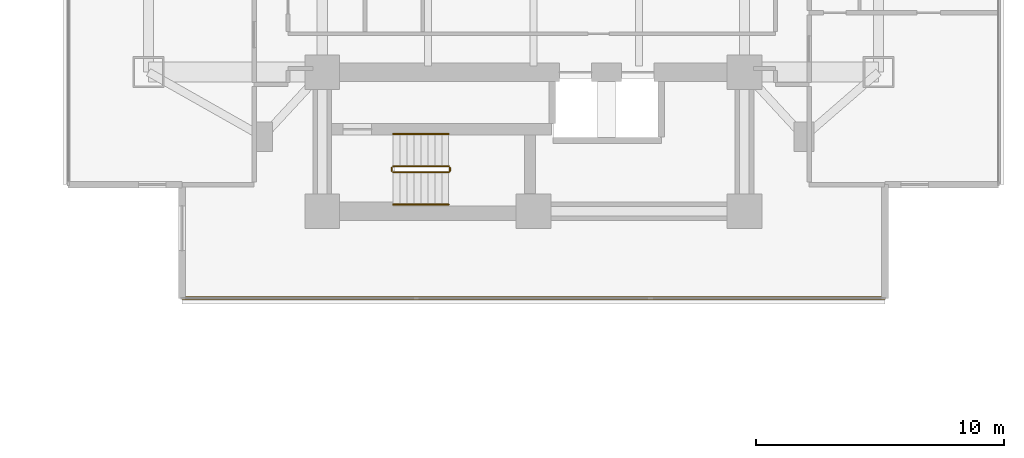
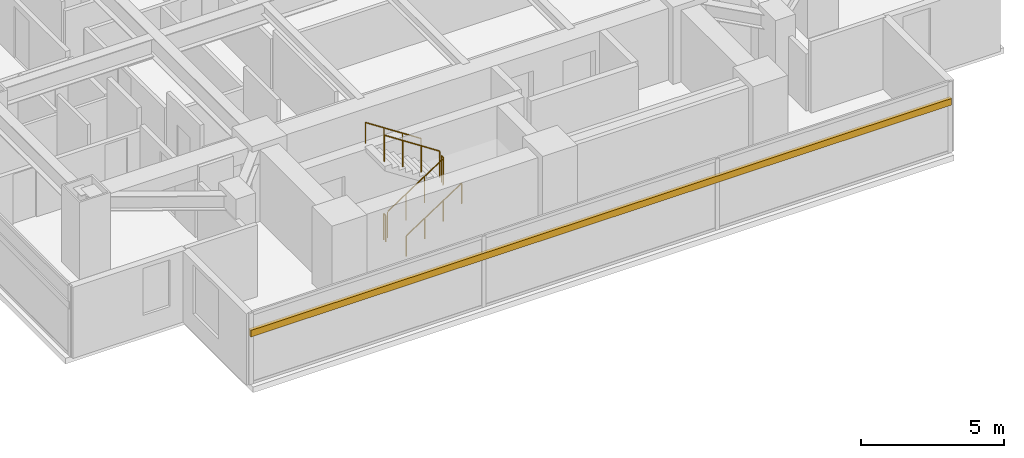
# One storey, part 23 of 25: 6 railings, 1 shading device.
"""IFC4 building model written with IfcOpenShell, lengths in metres."""

from ifc_helpers import new_model, si_unit, direction, frame, origin, origin_2d, place, context, subcontext, project, spatial, rectangle, circle, extrude, material, material_profile, profile_set, type_object, element, save


model = new_model("IFC4")

# Units and contexts
model_context = context("Model", 3, precision=1e-05, world=origin(), true_north=direction((0.0, 1.0)))
body_context = subcontext(model_context, "Body", "Model", "MODEL_VIEW")
ifc_project = project(units=[si_unit("LENGTHUNIT", "METRE"), si_unit("AREAUNIT", "SQUARE_METRE"), si_unit("VOLUMEUNIT", "CUBIC_METRE"), si_unit("PLANEANGLEUNIT", "RADIAN"), si_unit("MASSUNIT", "GRAM", prefix="KILO")], contexts=[model_context])

# Site, building, storey
site_placement = place(None, origin())
site = spatial("IfcSite", under=ifc_project, at=site_placement, CompositionType="ELEMENT")
building_placement = place(site_placement, origin())
building = spatial("IfcBuilding", under=site, at=building_placement, Name="Mirazonda Arch Towers", CompositionType="ELEMENT")
storey_placement = place(building_placement, frame((0.0, 0.0, 35.60009765625)))
storey = spatial("IfcBuildingStorey", under=building, at=storey_placement, Name="L09", CompositionType="ELEMENT", Elevation=35.60009765625)

# Shading device
ifc_material_1 = material(Name="Kiln-Fired Architectural Terracotta", Category="masonry")
ifc_material_profile = material_profile(ifc_material_1, rectangle(XDim=0.139892578125, YDim=0.280029296875, at=origin_2d()), Name="TERRA-BAG-140x280")
ifc_profile_set = profile_set([ifc_material_profile], Name="Kiln-Fired Architectural Terracotta")
shading_device_type = type_object("IfcShadingDeviceType", Name="BAGUETTE-3", PredefinedType="USERDEFINED", material=ifc_profile_set)
shading_device_placement = place(storey_placement, frame((90.652099609375, 11.686767578125, 2.188720703125), z_axis=(-1.0, 0.0, 0.0), x_axis=(0.0, -1.0, 0.0)))
element("IfcShadingDevice", 1, at=shading_device_placement, inside=storey, type_object=shading_device_type, Name="L09 Glazed Terracotta Sun-Screen Baguette CW-L09-T2-S", ObjectType="BAGUETTE", PredefinedType="USERDEFINED", context=body_context, shape_type="SweptSolid", body=[
    extrude(rectangle(XDim=0.139892578125, YDim=0.280029296875, at=origin_2d()), origin(), (0.0, 0.0, 1.0), 28.30419921875),
])

# Railings
ifc_material_2 = material(Name="Architectural Brushed Steel S355", Category="steel")
railing_type_1 = type_object("IfcRailingType", Name="GUARD-STAIR-1120", PredefinedType="GUARDRAIL", material=ifc_material_2)
railing_1_placement = place(storey_placement, frame((70.85009765625, 16.77001953125, 0.183349609375)))
element("IfcRailing", 2, at=railing_1_placement, inside=storey, type_object=railing_type_1, Name="L09 ST-T2S stair guard 1", PredefinedType="GUARDRAIL", context=body_context, shape_type="SweptSolid", body=[
    extrude(circle(Radius=0.02392578125, at=origin_2d()), frame((0.0, 0.0, 1.1259765625), z_axis=(0.836636935527, 0.0, 0.547757827979), x_axis=(0.0, 1.0, 0.0)), (0.0, 0.0, 1.0), 2.677490234375),
    extrude(circle(Radius=0.02099609375, at=origin_2d()), origin(), (0.0, 0.0, 1.0), 1.101806640625),
    extrude(circle(Radius=0.02099609375, at=origin_2d()), frame((0.74658203125, 0.0, 0.48876953125)), (0.0, 0.0, 1.0), 1.101806640625),
    extrude(circle(Radius=0.02099609375, at=origin_2d()), frame((1.493408203125, 0.0, 0.977783203125)), (0.0, 0.0, 1.0), 1.101806640625),
    extrude(circle(Radius=0.02099609375, at=origin_2d()), frame((2.239990234375, 0.0, 1.466552734375)), (0.0, 0.0, 1.0), 1.101806640625),
])
railing_2_placement = place(storey_placement, frame((73.139892578125, 16.820068359375, 1.64990234375)))
element("IfcRailing", 3, at=railing_2_placement, inside=storey, type_object=railing_type_1, Name="L09 ST-T2S stair guard 2", PredefinedType="GUARDRAIL", context=body_context, shape_type="SweptSolid", body=[
    extrude(circle(Radius=0.02392578125, at=origin_2d()), frame((0.0, 0.0, 1.1259765625), z_axis=(0.0, 1.0, 0.0), x_axis=(-1.0, 0.0, 0.0)), (0.0, 0.0, 1.0), 0.139892578125),
    extrude(circle(Radius=0.02099609375, at=origin_2d()), origin(), (0.0, 0.0, 1.0), 1.101806640625),
    extrude(circle(Radius=0.02099609375, at=origin_2d()), frame((0.0, 0.139892578125, 0.0)), (0.0, 0.0, 1.0), 1.101806640625),
])
railing_3_placement = place(storey_placement, frame((73.090087890625, 17.010009765625, 1.833251953125)))
element("IfcRailing", 4, at=railing_3_placement, inside=storey, type_object=railing_type_1, Name="L09 ST-T2S stair guard 3", PredefinedType="GUARDRAIL", context=body_context, shape_type="SweptSolid", body=[
    extrude(circle(Radius=0.02392578125, at=origin_2d()), frame((0.0, 0.0, 1.1259765625), z_axis=(-0.836636935527, 0.0, 0.547757827979), x_axis=(0.0, -1.0, 0.0)), (0.0, 0.0, 1.0), 2.677490234375),
    extrude(circle(Radius=0.02099609375, at=origin_2d()), origin(), (0.0, 0.0, 1.0), 1.101806640625),
    extrude(circle(Radius=0.02099609375, at=origin_2d()), frame((-0.74658203125, 0.0, 0.48876953125)), (0.0, 0.0, 1.0), 1.101806640625),
    extrude(circle(Radius=0.02099609375, at=origin_2d()), frame((-1.493408203125, 0.0, 0.977783203125)), (0.0, 0.0, 1.0), 1.101806640625),
    extrude(circle(Radius=0.02099609375, at=origin_2d()), frame((-2.239990234375, 0.0, 1.466552734375)), (0.0, 0.0, 1.0), 1.101806640625),
])
railing_4_placement = place(storey_placement, frame((70.800048828125, 16.820068359375, 0.0)))
element("IfcRailing", 5, at=railing_4_placement, inside=storey, type_object=railing_type_1, Name="L09 ST-T2S stair guard 4", PredefinedType="GUARDRAIL", context=body_context, shape_type="SweptSolid", body=[
    extrude(circle(Radius=0.02392578125, at=origin_2d()), frame((0.0, 0.0, 1.1259765625), z_axis=(0.0, 1.0, 0.0), x_axis=(-1.0, 0.0, 0.0)), (0.0, 0.0, 1.0), 0.139892578125),
    extrude(circle(Radius=0.02099609375, at=origin_2d()), origin(), (0.0, 0.0, 1.0), 1.101806640625),
    extrude(circle(Radius=0.02099609375, at=origin_2d()), frame((0.0, 0.139892578125, 0.0)), (0.0, 0.0, 1.0), 1.101806640625),
])
railing_type_2 = type_object("IfcRailingType", Name="HANDRAIL-915", PredefinedType="HANDRAIL", material=ifc_material_2)
railing_5_placement = place(storey_placement, frame((70.85009765625, 15.469970703125, 0.183349609375)))
element("IfcRailing", 6, at=railing_5_placement, inside=storey, type_object=railing_type_2, Name="L09 ST-T2S stair handrail 1", PredefinedType="HANDRAIL", context=body_context, shape_type="SweptSolid", body=[
    extrude(circle(Radius=0.02392578125, at=origin_2d()), frame((0.0, 0.0, 0.8759765625), z_axis=(0.836636935527, 0.0, 0.547757827979), x_axis=(0.0, 1.0, 0.0)), (0.0, 0.0, 1.0), 2.677490234375),
    extrude(circle(Radius=0.02099609375, at=origin_2d()), origin(), (0.0, 0.0, 1.0), 0.851806640625),
    extrude(circle(Radius=0.02099609375, at=origin_2d()), frame((0.74658203125, 0.0, 0.48876953125)), (0.0, 0.0, 1.0), 0.851806640625),
    extrude(circle(Radius=0.02099609375, at=origin_2d()), frame((1.493408203125, 0.0, 0.977783203125)), (0.0, 0.0, 1.0), 0.851806640625),
    extrude(circle(Radius=0.02099609375, at=origin_2d()), frame((2.239990234375, 0.0, 1.466552734375)), (0.0, 0.0, 1.0), 0.851806640625),
])
railing_6_placement = place(storey_placement, frame((73.090087890625, 18.31005859375, 1.833251953125)))
element("IfcRailing", 7, at=railing_6_placement, inside=storey, type_object=railing_type_2, Name="L09 ST-T2S stair handrail 2", PredefinedType="HANDRAIL", context=body_context, shape_type="SweptSolid", body=[
    extrude(circle(Radius=0.02392578125, at=origin_2d()), frame((0.0, 0.0, 0.8759765625), z_axis=(-0.836636935527, 0.0, 0.547757827979), x_axis=(0.0, -1.0, 0.0)), (0.0, 0.0, 1.0), 2.677490234375),
    extrude(circle(Radius=0.02099609375, at=origin_2d()), origin(), (0.0, 0.0, 1.0), 0.851806640625),
    extrude(circle(Radius=0.02099609375, at=origin_2d()), frame((-0.74658203125, 0.0, 0.48876953125)), (0.0, 0.0, 1.0), 0.851806640625),
    extrude(circle(Radius=0.02099609375, at=origin_2d()), frame((-1.493408203125, 0.0, 0.977783203125)), (0.0, 0.0, 1.0), 0.851806640625),
    extrude(circle(Radius=0.02099609375, at=origin_2d()), frame((-2.239990234375, 0.0, 1.466552734375)), (0.0, 0.0, 1.0), 0.851806640625),
])

save(model, "model.ifc")
